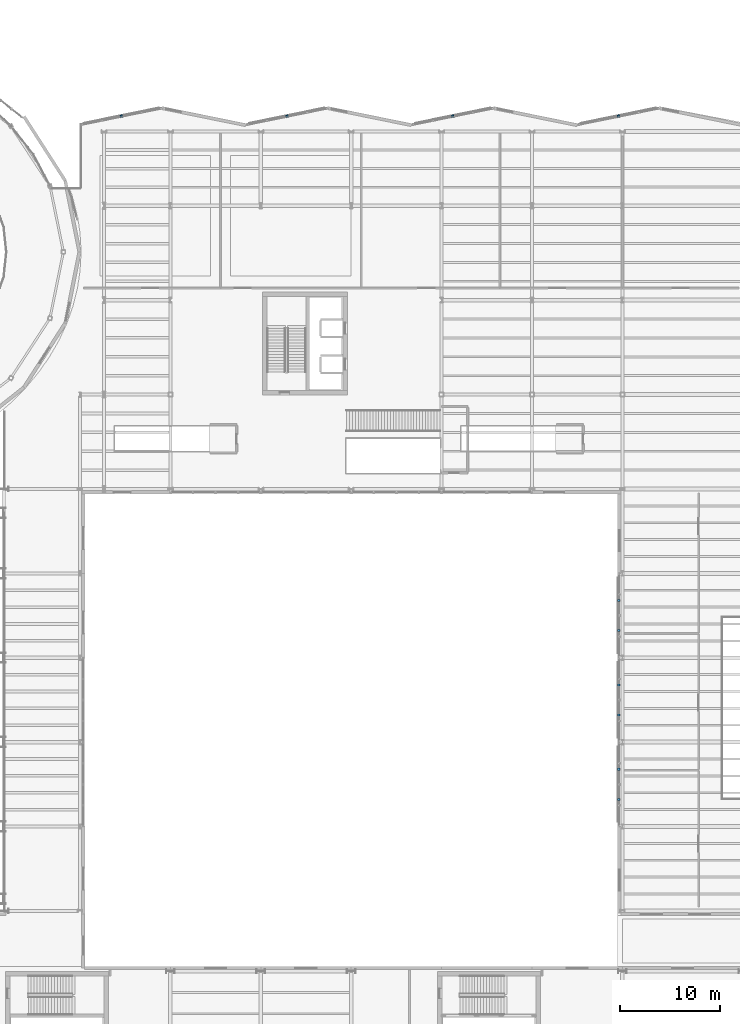
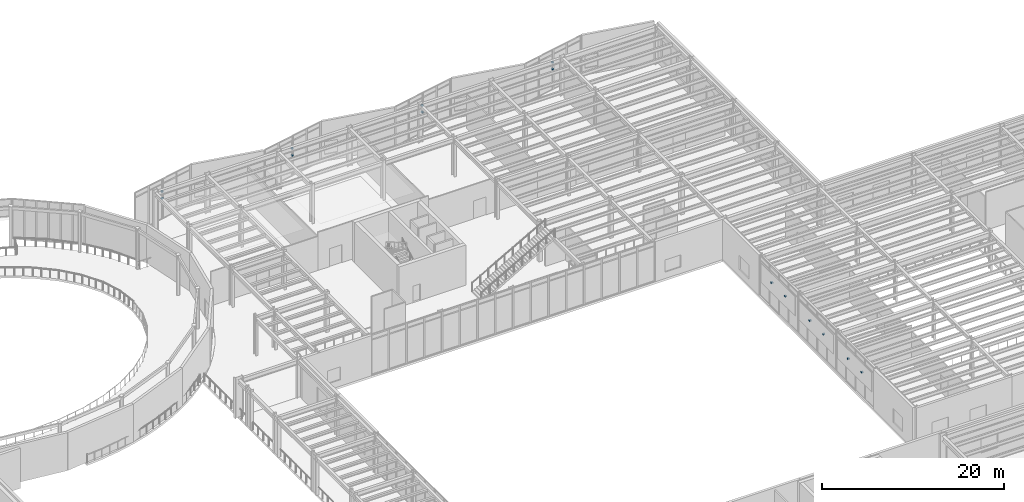
# One storey, part 85 of 98: 14 discrete accessories.
"""IFC4 building model written with IfcOpenShell, lengths in metres."""

from ifc_helpers import new_model, si_unit, direction, frame, origin, origin_2d, place, context, subcontext, project, spatial, rectangle, extrude, material, type_object, element, save


model = new_model("IFC4")

# Units and contexts
model_context = context("Model", 3, precision=1e-05, world=origin(), true_north=direction((0.0, 1.0)))
body_context = subcontext(model_context, "Body", "Model", "MODEL_VIEW")
ifc_project = project(units=[si_unit("LENGTHUNIT", "METRE"), si_unit("AREAUNIT", "SQUARE_METRE"), si_unit("VOLUMEUNIT", "CUBIC_METRE"), si_unit("PLANEANGLEUNIT", "RADIAN"), si_unit("MASSUNIT", "GRAM", prefix="KILO")], contexts=[model_context])

# Site, building, storey
site_placement = place(None, origin())
site = spatial("IfcSite", under=ifc_project, at=site_placement, CompositionType="ELEMENT")
building_placement = place(site_placement, origin())
building = spatial("IfcBuilding", under=site, at=building_placement, Name="Sollismere Congress Hotel", CompositionType="ELEMENT")
storey_placement = place(building_placement, frame((0.0, 0.0, 5.39990234375)))
storey = spatial("IfcBuildingStorey", under=building, at=storey_placement, Name="L01", CompositionType="ELEMENT", Elevation=5.39990234375)

# Discrete accessories
ifc_material = material(Name="Steel ASTM A572 Grade 50", Category="steel")
discrete_accessory_type = type_object("IfcDiscreteAccessoryType", Name="BRK-STL", PredefinedType="BRACKET", material=ifc_material)
for number, where, z_axis, x_axis, name in (
    (1, (62.113037109375, 103.91796875, 2.634765625), (0.0, 0.0, 1.0), (0.979924704621, 0.199367934417, 0.0), "BRK-SBK-006A"),
    (2, (62.113037109375, 103.91796875, 3.53466796875), (0.0, 0.0, 1.0), (0.979924704621, 0.199367934417, 0.0), "BRK-SBK-006B"),
    (3, (78.613037109375, 103.91796875, 2.634765625), (0.0, 0.0, 1.0), (0.979924704621, 0.199367934417, 0.0), "BRK-SBK-007A"),
    (4, (78.613037109375, 103.91796875, 3.53466796875), (0.0, 0.0, 1.0), (0.979924704621, 0.199367934417, 0.0), "BRK-SBK-007B"),
    (5, (95.113037109375, 103.91796875, 2.634765625), (0.0, 0.0, 1.0), (0.979924704621, 0.199367934417, 0.0), "BRK-SBK-008A"),
    (6, (95.113037109375, 103.91796875, 3.53466796875), (0.0, 0.0, 1.0), (0.979924704621, 0.199367934417, 0.0), "BRK-SBK-008B"),
    (7, (111.613037109375, 103.91796875, 2.634765625), (0.0, 0.0, 1.0), (0.979924704621, 0.199367934417, 0.0), "BRK-SBK-009A"),
    (8, (111.613037109375, 103.91796875, 3.53466796875), (0.0, 0.0, 1.0), (0.979924704621, 0.199367934417, 0.0), "BRK-SBK-009B"),
    (9, (111.6201171875, 35.89990234375, 3.23828125), (0.0, 0.0, 1.0), (0.0, 1.0, 0.0), "BRK-SBK-025A"),
    (10, (111.6201171875, 38.89990234375, 3.23828125), (0.0, 0.0, 1.0), (0.0, 1.0, 0.0), "BRK-SBK-025B"),
    (11, (111.6201171875, 44.300048828125, 3.23828125), (0.0, 0.0, 1.0), (0.0, 1.0, 0.0), "BRK-SBK-026A"),
    (12, (111.6201171875, 47.300048828125, 3.23828125), (0.0, 0.0, 1.0), (0.0, 1.0, 0.0), "BRK-SBK-026B"),
    (13, (111.6201171875, 52.699951171875, 3.23828125), (0.0, 0.0, 1.0), (0.0, 1.0, 0.0), "BRK-SBK-027A"),
    (14, (111.6201171875, 55.699951171875, 3.23828125), (0.0, 0.0, 1.0), (0.0, 1.0, 0.0), "BRK-SBK-027B"),
):
    element("IfcDiscreteAccessory", number, at=place(storey_placement, frame(where, z_axis=z_axis, x_axis=x_axis)), inside=storey, type_object=discrete_accessory_type, Name=name, PredefinedType="BRACKET", context=body_context, shape_type="SweptSolid", body=[
        extrude(rectangle(XDim=0.219970703125, YDim=0.239990234375, at=origin_2d()), origin(), (0.0, 0.0, 1.0), 0.179931640625),
    ])

save(model, "model.ifc")
